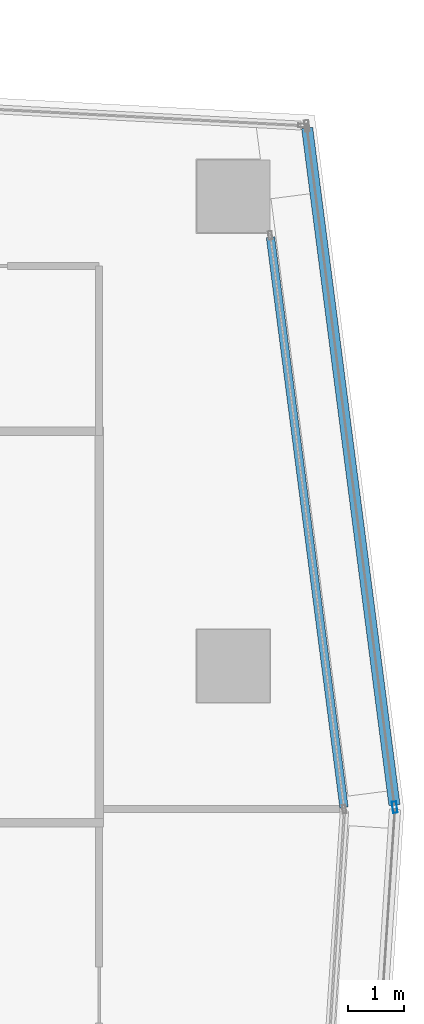
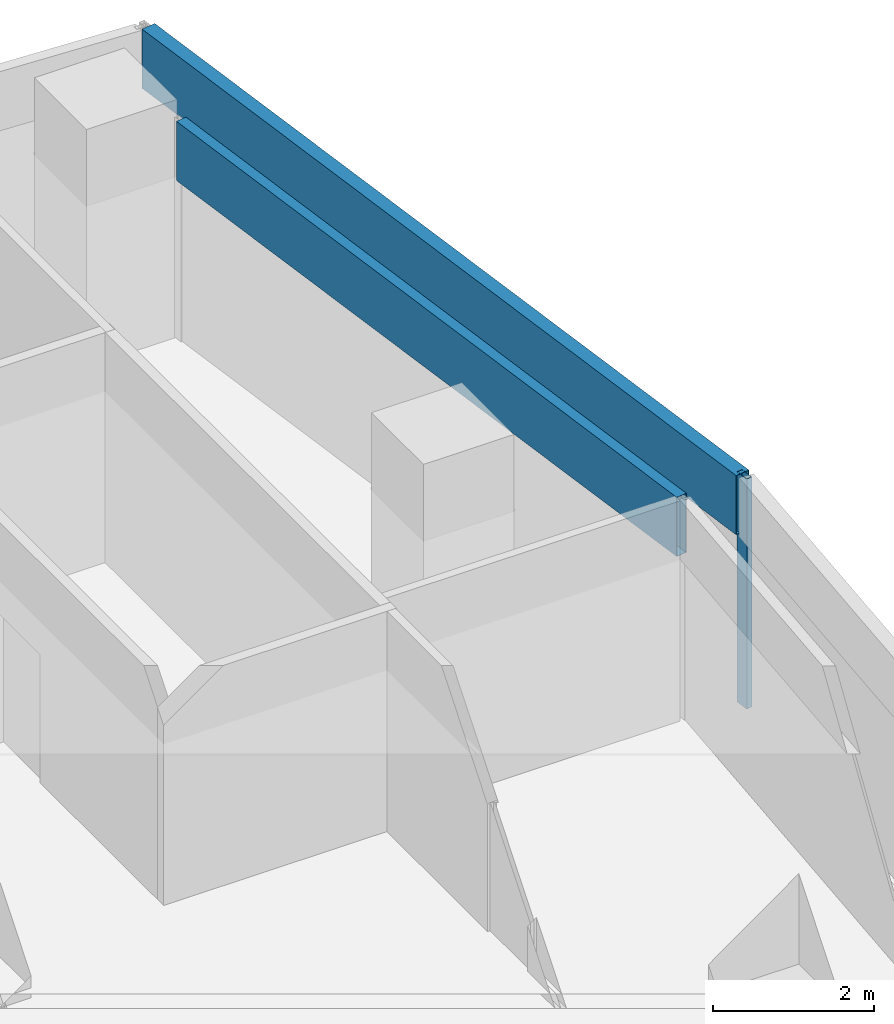
# One storey, part 14 of 29: 3 members, 2 elements without a shape of their own.
"""IFC4 building model written with IfcOpenShell, lengths in metres."""

from ifc_helpers import new_model, si_unit, direction, frame, origin, origin_2d, place, context, subcontext, project, spatial, hollow_rectangle, extrude, material, material_profile, profile_set, type_object, element, aggregate, save


model = new_model("IFC4")

# Units and contexts
model_context = context("Model", 3, precision=1e-05, world=origin(), true_north=direction((0.0, 1.0)))
body_context = subcontext(model_context, "Body", "Model", "MODEL_VIEW")
ifc_project = project(units=[si_unit("LENGTHUNIT", "METRE"), si_unit("AREAUNIT", "SQUARE_METRE"), si_unit("VOLUMEUNIT", "CUBIC_METRE"), si_unit("PLANEANGLEUNIT", "RADIAN"), si_unit("MASSUNIT", "GRAM", prefix="KILO")], contexts=[model_context])

# Site, building, storey
site_placement = place(None, origin())
site = spatial("IfcSite", under=ifc_project, at=site_placement, CompositionType="ELEMENT")
building_placement = place(site_placement, origin())
building = spatial("IfcBuilding", under=site, at=building_placement, Name="Rekha Terrace Tower", CompositionType="ELEMENT")
storey_placement = place(building_placement, frame((0.0, 0.0, 280.10009765625)))
storey = spatial("IfcBuildingStorey", under=building, at=storey_placement, Name="L71", CompositionType="ELEMENT", Elevation=280.10009765625)

# Curtain wall, member
ifc_material_1 = material(Name="Aluminium framing", Category="aluminium")
curtain_wall_type_1 = type_object("IfcCurtainWallType", Name="CW1 double skin inner glazing", PredefinedType="USERDEFINED", material=ifc_material_1)
curtain_wall_1_placement = place(storey_placement, origin())
curtain_wall_1 = element("IfcCurtainWall", 1, at=curtain_wall_1_placement, inside=storey, type_object=curtain_wall_type_1, Name="CW1 double skin inner glazing", ObjectType="DOUBLE SKIN INNER GLAZING", PredefinedType="USERDEFINED")
ifc_material_2 = material(Name="Insulated aluminium spandrel box", Category="aluminium")
ifc_material_profile_1 = material_profile(ifc_material_2, hollow_rectangle(XDim=0.14990234375, YDim=0.89990234375, WallThickness=0.0029296875, at=origin_2d()), Name="AL SPANDREL BOX 150x900")
ifc_profile_set_1 = profile_set([ifc_material_profile_1], Name="Insulated aluminium spandrel box")
member_type_1 = type_object("IfcMemberType", Name="CW1 spandrel transom 150 x 900", PredefinedType="USERDEFINED", material=ifc_profile_set_1)
member_1_placement = place(storey_placement, frame((60.777099609375, 39.471435546875, 3.0498046875), z_axis=(-0.127854523912, 0.991792932378, 0.0), x_axis=(-0.991792932378, -0.127854523912, 0.0)))
member_1 = element("IfcMember", 2, at=member_1_placement, type_object=member_type_1, Name="CW1 spandrel transom 1", ObjectType="TRANSOM", PredefinedType="USERDEFINED", context=body_context, shape_type="SweptSolid", body=[
    extrude(hollow_rectangle(XDim=0.14990234375, YDim=0.89990234375, WallThickness=0.0029296875, at=origin_2d()), origin(), (0.0, 0.0, 1.0), 10.279052734375),
])
aggregate(curtain_wall_1, [member_1])

# Curtain wall, members
curtain_wall_type_2 = type_object("IfcCurtainWallType", Name="CW2 double skin outer glazing", PredefinedType="USERDEFINED", material=ifc_material_1)
curtain_wall_2_placement = place(storey_placement, origin())
curtain_wall_2 = element("IfcCurtainWall", 3, at=curtain_wall_2_placement, inside=storey, type_object=curtain_wall_type_2, Name="CW2 double skin outer glazing", ObjectType="DOUBLE SKIN OUTER GLAZING", PredefinedType="USERDEFINED")
ifc_material_3 = material(Name="Aluminium mullion section", Category="aluminium")
ifc_material_profile_2 = material_profile(ifc_material_3, hollow_rectangle(XDim=0.080078125, YDim=0.199951171875, WallThickness=0.00390625, at=origin_2d()), Name="AL RHS 80x200")
ifc_profile_set_2 = profile_set([ifc_material_profile_2], Name="Aluminium mullion section")
member_type_2 = type_object("IfcMemberType", Name="CW2 mullion RHS 80 x 200", PredefinedType="MULLION", material=ifc_profile_set_2)
member_2_placement = place(storey_placement, frame((61.68408203125, 39.474609375, 0.0), z_axis=(0.0, 0.0, 1.0), x_axis=(-0.991790949459, -0.12786990487, 0.0)))
member_2 = element("IfcMember", 4, at=member_2_placement, type_object=member_type_2, Name="CW2 mullion 1", PredefinedType="MULLION", context=body_context, shape_type="SweptSolid", body=[
    extrude(hollow_rectangle(XDim=0.080078125, YDim=0.199951171875, WallThickness=0.00390625, at=origin_2d()), origin(), (0.0, 0.0, 1.0), 3.5),
])
ifc_material_profile_3 = material_profile(ifc_material_2, hollow_rectangle(XDim=0.199951171875, YDim=0.89990234375, WallThickness=0.0029296875, at=origin_2d()), Name="AL SPANDREL BOX 200x900")
ifc_profile_set_3 = profile_set([ifc_material_profile_3], Name="Insulated aluminium spandrel box")
member_type_3 = type_object("IfcMemberType", Name="CW2 spandrel transom 200 x 900", PredefinedType="USERDEFINED", material=ifc_profile_set_3)
member_3_placement = place(storey_placement, frame((61.67919921875, 39.514404296875, 3.0498046875), z_axis=(-0.127874852181, 0.991790311598, 0.0), x_axis=(-0.991790311598, -0.127874852181, 0.0)))
member_3 = element("IfcMember", 5, at=member_3_placement, type_object=member_type_3, Name="CW2 spandrel transom 1", ObjectType="TRANSOM", PredefinedType="USERDEFINED", context=body_context, shape_type="SweptSolid", body=[
    extrude(hollow_rectangle(XDim=0.199951171875, YDim=0.89990234375, WallThickness=0.0029296875, at=origin_2d()), origin(), (0.0, 0.0, 1.0), 12.20361328125),
])
aggregate(curtain_wall_2, [member_2, member_3])

save(model, "model.ifc")
